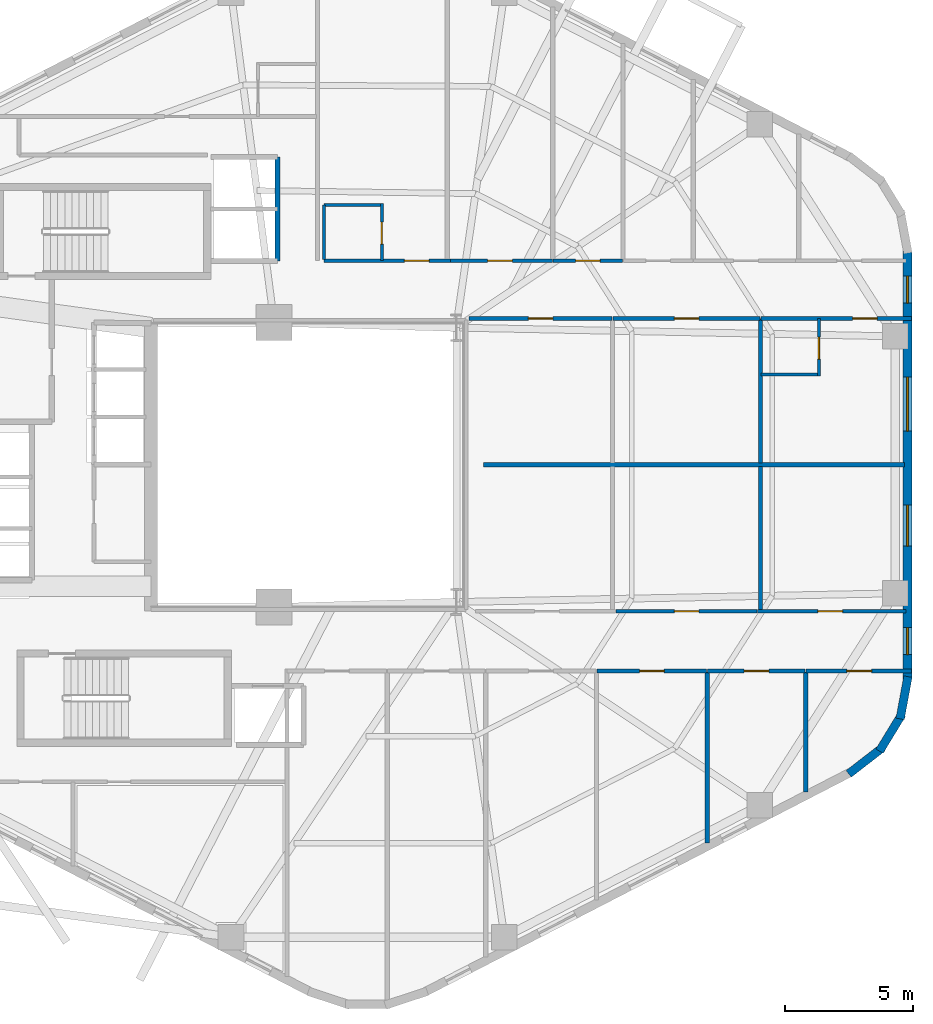
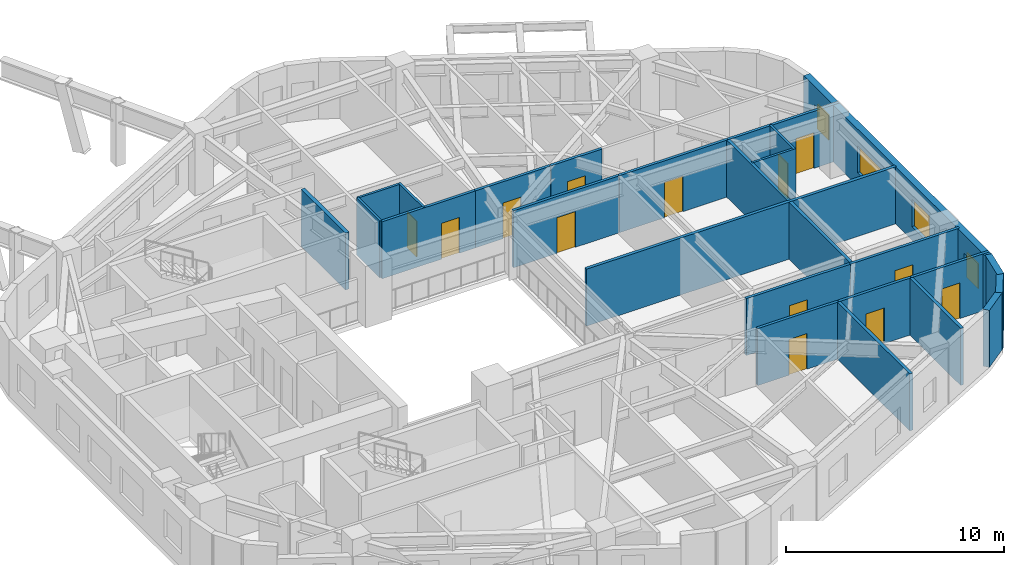
# One storey, part 5 of 8: 26 walls, 13 doors, 4 windows, 17 openings.
"""IFC4 building model written with IfcOpenShell, lengths in metres."""

from ifc_helpers import new_model, si_unit, direction, frame, frame_2d, origin, place, context, subcontext, project, spatial, rectangle, extrude, material, layer, layer_set, type_object, element, fill, save


model = new_model("IFC4")

# Units and contexts
model_context = context("Model", 3, precision=1e-05, world=origin(), true_north=direction((0.0, 1.0)))
body_context = subcontext(model_context, "Body", "Model", "MODEL_VIEW")
ifc_project = project(units=[si_unit("LENGTHUNIT", "METRE"), si_unit("AREAUNIT", "SQUARE_METRE"), si_unit("VOLUMEUNIT", "CUBIC_METRE"), si_unit("PLANEANGLEUNIT", "RADIAN"), si_unit("MASSUNIT", "GRAM", prefix="KILO"), si_unit("THERMODYNAMICTEMPERATUREUNIT", "KELVIN"), si_unit("POWERUNIT", "WATT")], contexts=[model_context])

# Site, building, storey
site_placement = place(None, origin())
site = spatial("IfcSite", under=ifc_project, at=site_placement, CompositionType="ELEMENT")
building_placement = place(site_placement, origin())
building = spatial("IfcBuilding", under=site, at=building_placement, Name="Skarre Station Tower", CompositionType="ELEMENT")
storey_placement = place(building_placement, frame((0.0, 0.0, 129.14990234375)))
storey = spatial("IfcBuildingStorey", under=building, at=storey_placement, Name="L34", CompositionType="ELEMENT", Elevation=129.14990234375)

# Wall, opening, door
ifc_material_1 = material(Name="Acoustic Steel-Stud Gypsum Partition", Category="steel")
ifc_layer_1 = layer(ifc_material_1, 0.14990234375, Name="Acoustic Steel-Stud Gypsum Partition")
ifc_layer_set_1 = layer_set([ifc_layer_1], Name="Acoustic Steel-Stud Gypsum Partition")
wall_type_1 = type_object("IfcWallType", Name="Fire-Rated Corridor Acoustic Partition 150", PredefinedType="PARTITIONING", material=ifc_layer_set_1)
wall_1_placement = place(storey_placement, frame((39.22412109375, 31.9599609375, 0.0), z_axis=(0.0, 0.0, 1.0), x_axis=(-1.0, 0.0, 0.0)))
wall_1 = element("IfcWall", 1, at=wall_1_placement, inside=storey, type_object=wall_type_1, Name="L34 Interior Partition WL-PT-L34-NW1-CW", PredefinedType="PARTITIONING", context=body_context, shape_type="SweptSolid", body=[
    extrude(rectangle(XDim=4.93408203125, YDim=0.14990234375, at=frame_2d((2.467041015625, 0.0))), origin(), (0.0, 0.0, 1.0), 3.190185546875),
])
opening_1_placement = place(wall_1_placement, frame((0.830078125, 0.0, 0.0)))
opening_1 = element("IfcOpeningElement", 2, at=opening_1_placement, cuts=wall_1, Name="Opening DR-FD60", PredefinedType="OPENING", context=body_context, shape_type="SweptSolid", body=[
    extrude(rectangle(XDim=0.9599609375, YDim=2.0, at=frame_2d((0.47998046875, 1.0))), frame((0.0, 0.0849609375, 0.0), z_axis=(0.0, -1.0, 0.0), x_axis=(1.0, 0.0, 0.0)), (0.0, 0.0, 1.0), 0.169921875),
])
ifc_material_2 = material(Name="Nordic White-Oak Veneer Solid-Core Fire Leaf", Category="wood")
door_type_1 = type_object("IfcDoorType", Name="Corridor Suite Entry Fire Door FD60 960x2150", OperationType="SINGLE_SWING_LEFT", PredefinedType="DOOR", material=ifc_material_2)
door_1_placement = place(opening_1_placement, origin())
door_1 = element("IfcDoor", 3, at=door_1_placement, inside=storey, type_object=door_type_1, Name="L34 NW1 Entry Door", OperationType="SINGLE_SWING_LEFT", OverallHeight=2.0, OverallWidth=0.9599609375, PredefinedType="DOOR", context=body_context, shape_type="SweptSolid", body=[
    extrude(rectangle(XDim=0.9599609375, YDim=2.0, at=frame_2d((0.47998046875, 1.0))), frame((0.0, 0.02490234375, 0.0), z_axis=(0.0, -1.0, 0.0), x_axis=(1.0, 0.0, 0.0)), (0.0, 0.0, 1.0), 0.050048828125),
])
fill(opening_1, door_1)

wall_2_placement = place(storey_placement, frame((43.198974609375, 31.9599609375, 0.0), z_axis=(0.0, 0.0, 1.0), x_axis=(-1.0, 0.0, 0.0)))
wall_2 = element("IfcWall", 4, at=wall_2_placement, inside=storey, type_object=wall_type_1, Name="L34 Interior Partition WL-PT-L34-NW2-CW", PredefinedType="PARTITIONING", context=body_context, shape_type="SweptSolid", body=[
    extrude(rectangle(XDim=3.965087890625, YDim=0.14990234375, at=frame_2d((1.982421875, 0.0))), origin(), (0.0, 0.0, 1.0), 3.190185546875),
])
opening_2_placement = place(wall_2_placement, frame((1.56005859375, 0.0, 0.0)))
opening_2 = element("IfcOpeningElement", 5, at=opening_2_placement, cuts=wall_2, Name="Opening DR-FD60", PredefinedType="OPENING", context=body_context, shape_type="SweptSolid", body=[
    extrude(rectangle(XDim=0.9599609375, YDim=2.0, at=frame_2d((0.47998046875, 1.0))), frame((0.0, 0.0849609375, 0.0), z_axis=(0.0, -1.0, 0.0), x_axis=(1.0, 0.0, 0.0)), (0.0, 0.0, 1.0), 0.169921875),
])
door_2_placement = place(opening_2_placement, origin())
door_2 = element("IfcDoor", 6, at=door_2_placement, inside=storey, type_object=door_type_1, Name="L34 NW2 Entry Door", OperationType="SINGLE_SWING_LEFT", OverallHeight=2.0, OverallWidth=0.9599609375, PredefinedType="DOOR", context=body_context, shape_type="SweptSolid", body=[
    extrude(rectangle(XDim=0.9599609375, YDim=2.0, at=frame_2d((0.47998046875, 1.0))), frame((0.0, 0.02490234375, 0.0), z_axis=(0.0, -1.0, 0.0), x_axis=(1.0, 0.0, 0.0)), (0.0, 0.0, 1.0), 0.050048828125),
])
fill(opening_2, door_2)

wall_3_placement = place(storey_placement, frame((45.93994140625, 31.9599609375, 0.0), z_axis=(0.0, 0.0, 1.0), x_axis=(-1.0, 0.0, 0.0)))
wall_3 = element("IfcWall", 7, at=wall_3_placement, inside=storey, type_object=wall_type_1, Name="L34 Interior Partition WL-PT-L34-NW3-CW", PredefinedType="PARTITIONING", context=body_context, shape_type="SweptSolid", body=[
    extrude(rectangle(XDim=2.708984375, YDim=0.14990234375, at=frame_2d((1.3544921875, 0.0))), origin(), (0.0, 0.0, 1.0), 3.190185546875),
])
opening_3_placement = place(wall_3_placement, frame((0.875, 0.0, 0.0)))
opening_3 = element("IfcOpeningElement", 8, at=opening_3_placement, cuts=wall_3, Name="Opening DR-FD60", PredefinedType="OPENING", context=body_context, shape_type="SweptSolid", body=[
    extrude(rectangle(XDim=0.9599609375, YDim=2.0, at=frame_2d((0.47998046875, 1.0))), frame((0.0, 0.0849609375, 0.0), z_axis=(0.0, -1.0, 0.0), x_axis=(1.0, 0.0, 0.0)), (0.0, 0.0, 1.0), 0.169921875),
])
door_3_placement = place(opening_3_placement, origin())
door_3 = element("IfcDoor", 9, at=door_3_placement, inside=storey, type_object=door_type_1, Name="L34 NW3 Entry Door", OperationType="SINGLE_SWING_LEFT", OverallHeight=2.0, OverallWidth=0.9599609375, PredefinedType="DOOR", context=body_context, shape_type="SweptSolid", body=[
    extrude(rectangle(XDim=0.9599609375, YDim=2.0, at=frame_2d((0.47998046875, 1.0))), frame((0.0, 0.02490234375, 0.0), z_axis=(0.0, -1.0, 0.0), x_axis=(1.0, 0.0, 0.0)), (0.0, 0.0, 1.0), 0.050048828125),
])
fill(opening_3, door_3)

wall_4_placement = place(storey_placement, frame((39.949951171875, 29.7099609375, 0.0), z_axis=(0.0, 0.0, 1.0), x_axis=(1.0, 0.0, 0.0)))
wall_4 = element("IfcWall", 10, at=wall_4_placement, inside=storey, type_object=wall_type_1, Name="L34 Interior Partition WL-PT-L34-EWN1-CW", PredefinedType="PARTITIONING", context=body_context, shape_type="SweptSolid", body=[
    extrude(rectangle(XDim=5.583984375, YDim=0.14990234375, at=frame_2d((2.7919921875, 0.0))), origin(), (0.0, 0.0, 1.0), 3.190185546875),
])
opening_4_placement = place(wall_4_placement, frame((2.31201171875, 0.0, 0.0)))
opening_4 = element("IfcOpeningElement", 11, at=opening_4_placement, cuts=wall_4, Name="Opening DR-FD60", PredefinedType="OPENING", context=body_context, shape_type="SweptSolid", body=[
    extrude(rectangle(XDim=0.9599609375, YDim=2.0, at=frame_2d((0.47998046875, 1.0))), frame((0.0, 0.0849609375, 0.0), z_axis=(0.0, -1.0, 0.0), x_axis=(1.0, 0.0, 0.0)), (0.0, 0.0, 1.0), 0.169921875),
])
door_4_placement = place(opening_4_placement, origin())
door_4 = element("IfcDoor", 12, at=door_4_placement, inside=storey, type_object=door_type_1, Name="L34 EWN1 Entry Door", OperationType="SINGLE_SWING_LEFT", OverallHeight=2.0, OverallWidth=0.9599609375, PredefinedType="DOOR", context=body_context, shape_type="SweptSolid", body=[
    extrude(rectangle(XDim=0.9599609375, YDim=2.0, at=frame_2d((0.47998046875, 1.0))), frame((0.0, 0.02490234375, 0.0), z_axis=(0.0, -1.0, 0.0), x_axis=(1.0, 0.0, 0.0)), (0.0, 0.0, 1.0), 0.050048828125),
])
fill(opening_4, door_4)

wall_5_placement = place(storey_placement, frame((45.56396484375, 29.7099609375, 0.0), z_axis=(0.0, 0.0, 1.0), x_axis=(1.0, 0.0, 0.0)))
wall_5 = element("IfcWall", 13, at=wall_5_placement, inside=storey, type_object=wall_type_1, Name="L34 Interior Partition WL-PT-L34-EWN2-CW", PredefinedType="PARTITIONING", context=body_context, shape_type="SweptSolid", body=[
    extrude(rectangle(XDim=5.739990234375, YDim=0.14990234375, at=frame_2d((2.8701171875, 0.0))), origin(), (0.0, 0.0, 1.0), 3.190185546875),
])
opening_5_placement = place(wall_5_placement, frame((2.389892578125, 0.0, 0.0)))
opening_5 = element("IfcOpeningElement", 14, at=opening_5_placement, cuts=wall_5, Name="Opening DR-FD60", PredefinedType="OPENING", context=body_context, shape_type="SweptSolid", body=[
    extrude(rectangle(XDim=0.9599609375, YDim=2.0, at=frame_2d((0.47998046875, 1.0))), frame((0.0, 0.0849609375, 0.0), z_axis=(0.0, -1.0, 0.0), x_axis=(1.0, 0.0, 0.0)), (0.0, 0.0, 1.0), 0.169921875),
])
door_5_placement = place(opening_5_placement, origin())
door_5 = element("IfcDoor", 15, at=door_5_placement, inside=storey, type_object=door_type_1, Name="L34 EWN2 Entry Door", OperationType="SINGLE_SWING_LEFT", OverallHeight=2.0, OverallWidth=0.9599609375, PredefinedType="DOOR", context=body_context, shape_type="SweptSolid", body=[
    extrude(rectangle(XDim=0.9599609375, YDim=2.0, at=frame_2d((0.47998046875, 1.0))), frame((0.0, 0.02490234375, 0.0), z_axis=(0.0, -1.0, 0.0), x_axis=(1.0, 0.0, 0.0)), (0.0, 0.0, 1.0), 0.050048828125),
])
fill(opening_5, door_5)

wall_6_placement = place(storey_placement, frame((51.333984375, 29.7099609375, 0.0), z_axis=(0.0, 0.0, 1.0), x_axis=(1.0, 0.0, 0.0)))
wall_6 = element("IfcWall", 16, at=wall_6_placement, inside=storey, type_object=wall_type_1, Name="L34 Interior Partition WL-PT-L34-EWN3-CW", PredefinedType="PARTITIONING", context=body_context, shape_type="SweptSolid", body=[
    extrude(rectangle(XDim=5.8740234375, YDim=0.14990234375, at=frame_2d((2.93701171875, 0.0))), origin(), (0.0, 0.0, 1.0), 3.190185546875),
])
opening_6_placement = place(wall_6_placement, frame((3.572021484375, 0.0, 0.0)))
opening_6 = element("IfcOpeningElement", 17, at=opening_6_placement, cuts=wall_6, Name="Opening DR-FD60", PredefinedType="OPENING", context=body_context, shape_type="SweptSolid", body=[
    extrude(rectangle(XDim=0.9599609375, YDim=2.0, at=frame_2d((0.47998046875, 1.0))), frame((0.0, 0.0849609375, 0.0), z_axis=(0.0, -1.0, 0.0), x_axis=(1.0, 0.0, 0.0)), (0.0, 0.0, 1.0), 0.169921875),
])
door_6_placement = place(opening_6_placement, origin())
door_6 = element("IfcDoor", 18, at=door_6_placement, inside=storey, type_object=door_type_1, Name="L34 EWN3 Entry Door", OperationType="SINGLE_SWING_LEFT", OverallHeight=2.0, OverallWidth=0.9599609375, PredefinedType="DOOR", context=body_context, shape_type="SweptSolid", body=[
    extrude(rectangle(XDim=0.9599609375, YDim=2.0, at=frame_2d((0.47998046875, 1.0))), frame((0.0, 0.02490234375, 0.0), z_axis=(0.0, -1.0, 0.0), x_axis=(1.0, 0.0, 0.0)), (0.0, 0.0, 1.0), 0.050048828125),
])
fill(opening_6, door_6)

wall_7_placement = place(storey_placement, frame((51.18896484375, 18.2900390625, 0.0), z_axis=(0.0, 0.0, 1.0), x_axis=(-1.0, 0.0, 0.0)))
wall_7 = element("IfcWall", 19, at=wall_7_placement, inside=storey, type_object=wall_type_1, Name="L34 Interior Partition WL-PT-L34-EWS2-CW", PredefinedType="PARTITIONING", context=body_context, shape_type="SweptSolid", body=[
    extrude(rectangle(XDim=5.510009765625, YDim=0.14990234375, at=frame_2d((2.7548828125, 0.0))), origin(), (0.0, 0.0, 1.0), 3.190185546875),
])
opening_7_placement = place(wall_7_placement, frame((2.27490234375, 0.0, 0.0)))
opening_7 = element("IfcOpeningElement", 20, at=opening_7_placement, cuts=wall_7, Name="Opening DR-FD60", PredefinedType="OPENING", context=body_context, shape_type="SweptSolid", body=[
    extrude(rectangle(XDim=0.9599609375, YDim=2.0, at=frame_2d((0.47998046875, 1.0))), frame((0.0, 0.0849609375, 0.0), z_axis=(0.0, -1.0, 0.0), x_axis=(1.0, 0.0, 0.0)), (0.0, 0.0, 1.0), 0.169921875),
])
door_7_placement = place(opening_7_placement, origin())
door_7 = element("IfcDoor", 21, at=door_7_placement, inside=storey, type_object=door_type_1, Name="L34 EWS2 Entry Door", OperationType="SINGLE_SWING_LEFT", OverallHeight=2.0, OverallWidth=0.9599609375, PredefinedType="DOOR", context=body_context, shape_type="SweptSolid", body=[
    extrude(rectangle(XDim=0.9599609375, YDim=2.0, at=frame_2d((0.47998046875, 1.0))), frame((0.0, 0.02490234375, 0.0), z_axis=(0.0, -1.0, 0.0), x_axis=(1.0, 0.0, 0.0)), (0.0, 0.0, 1.0), 0.050048828125),
])
fill(opening_7, door_7)

wall_8_placement = place(storey_placement, frame((56.988037109375, 18.2900390625, 0.0), z_axis=(0.0, 0.0, 1.0), x_axis=(-1.0, 0.0, 0.0)))
wall_8 = element("IfcWall", 22, at=wall_8_placement, inside=storey, type_object=wall_type_1, Name="L34 Interior Partition WL-PT-L34-EWS3-CW", PredefinedType="PARTITIONING", context=body_context, shape_type="SweptSolid", body=[
    extrude(rectangle(XDim=5.7890625, YDim=0.14990234375, at=frame_2d((2.89453125, 0.0))), origin(), (0.0, 0.0, 1.0), 3.190185546875),
])
opening_8_placement = place(wall_8_placement, frame((2.471923828125, 0.0, 0.0)))
opening_8 = element("IfcOpeningElement", 23, at=opening_8_placement, cuts=wall_8, Name="Opening DR-FD60", PredefinedType="OPENING", context=body_context, shape_type="SweptSolid", body=[
    extrude(rectangle(XDim=0.9599609375, YDim=2.0, at=frame_2d((0.47998046875, 1.0))), frame((0.0, 0.0849609375, 0.0), z_axis=(0.0, -1.0, 0.0), x_axis=(1.0, 0.0, 0.0)), (0.0, 0.0, 1.0), 0.169921875),
])
door_8_placement = place(opening_8_placement, origin())
door_8 = element("IfcDoor", 24, at=door_8_placement, inside=storey, type_object=door_type_1, Name="L34 EWS3 Entry Door", OperationType="SINGLE_SWING_LEFT", OverallHeight=2.0, OverallWidth=0.9599609375, PredefinedType="DOOR", context=body_context, shape_type="SweptSolid", body=[
    extrude(rectangle(XDim=0.9599609375, YDim=2.0, at=frame_2d((0.47998046875, 1.0))), frame((0.0, 0.02490234375, 0.0), z_axis=(0.0, -1.0, 0.0), x_axis=(1.0, 0.0, 0.0)), (0.0, 0.0, 1.0), 0.050048828125),
])
fill(opening_8, door_8)

wall_9_placement = place(storey_placement, frame((44.93701171875, 15.9599609375, 0.0), z_axis=(0.0, 0.0, 1.0), x_axis=(1.0, 0.0, 0.0)))
wall_9 = element("IfcWall", 25, at=wall_9_placement, inside=storey, type_object=wall_type_1, Name="L34 Interior Partition WL-PT-L34-SW4-CW", PredefinedType="PARTITIONING", context=body_context, shape_type="SweptSolid", body=[
    extrude(rectangle(XDim=4.283935546875, YDim=0.14990234375, at=frame_2d((2.14208984375, 0.0))), origin(), (0.0, 0.0, 1.0), 3.190185546875),
])
opening_9_placement = place(wall_9_placement, frame((1.662109375, 0.0, 0.0)))
opening_9 = element("IfcOpeningElement", 26, at=opening_9_placement, cuts=wall_9, Name="Opening DR-FD60", PredefinedType="OPENING", context=body_context, shape_type="SweptSolid", body=[
    extrude(rectangle(XDim=0.9599609375, YDim=2.0, at=frame_2d((0.47998046875, 1.0))), frame((0.0, 0.0849609375, 0.0), z_axis=(0.0, -1.0, 0.0), x_axis=(1.0, 0.0, 0.0)), (0.0, 0.0, 1.0), 0.169921875),
])
door_9_placement = place(opening_9_placement, origin())
door_9 = element("IfcDoor", 27, at=door_9_placement, inside=storey, type_object=door_type_1, Name="L34 SW4 Entry Door", OperationType="SINGLE_SWING_LEFT", OverallHeight=2.0, OverallWidth=0.9599609375, PredefinedType="DOOR", context=body_context, shape_type="SweptSolid", body=[
    extrude(rectangle(XDim=0.9599609375, YDim=2.0, at=frame_2d((0.47998046875, 1.0))), frame((0.0, 0.02490234375, 0.0), z_axis=(0.0, -1.0, 0.0), x_axis=(1.0, 0.0, 0.0)), (0.0, 0.0, 1.0), 0.050048828125),
])
fill(opening_9, door_9)

wall_10_placement = place(storey_placement, frame((49.257080078125, 15.9599609375, 0.0), z_axis=(0.0, 0.0, 1.0), x_axis=(1.0, 0.0, 0.0)))
wall_10 = element("IfcWall", 28, at=wall_10_placement, inside=storey, type_object=wall_type_1, Name="L34 Interior Partition WL-PT-L34-SW5-CW", PredefinedType="PARTITIONING", context=body_context, shape_type="SweptSolid", body=[
    extrude(rectangle(XDim=3.802978515625, YDim=0.14990234375, at=frame_2d((1.9013671875, 0.0))), origin(), (0.0, 0.0, 1.0), 3.190185546875),
])
opening_10_placement = place(wall_10_placement, frame((1.422119140625, 0.0, 0.0)))
opening_10 = element("IfcOpeningElement", 29, at=opening_10_placement, cuts=wall_10, Name="Opening DR-FD60", PredefinedType="OPENING", context=body_context, shape_type="SweptSolid", body=[
    extrude(rectangle(XDim=0.9599609375, YDim=2.0, at=frame_2d((0.47998046875, 1.0))), frame((0.0, 0.0849609375, 0.0), z_axis=(0.0, -1.0, 0.0), x_axis=(1.0, 0.0, 0.0)), (0.0, 0.0, 1.0), 0.169921875),
])
door_10_placement = place(opening_10_placement, origin())
door_10 = element("IfcDoor", 30, at=door_10_placement, inside=storey, type_object=door_type_1, Name="L34 SW5 Entry Door", OperationType="SINGLE_SWING_LEFT", OverallHeight=2.0, OverallWidth=0.9599609375, PredefinedType="DOOR", context=body_context, shape_type="SweptSolid", body=[
    extrude(rectangle(XDim=0.9599609375, YDim=2.0, at=frame_2d((0.47998046875, 1.0))), frame((0.0, 0.02490234375, 0.0), z_axis=(0.0, -1.0, 0.0), x_axis=(1.0, 0.0, 0.0)), (0.0, 0.0, 1.0), 0.050048828125),
])
fill(opening_10, door_10)

wall_11_placement = place(storey_placement, frame((53.095947265625, 15.9599609375, 0.0), z_axis=(0.0, 0.0, 1.0), x_axis=(1.0, 0.0, 0.0)))
wall_11 = element("IfcWall", 31, at=wall_11_placement, inside=storey, type_object=wall_type_1, Name="L34 Interior Partition WL-PT-L34-SW6-CW", PredefinedType="PARTITIONING", context=body_context, shape_type="SweptSolid", body=[
    extrude(rectangle(XDim=4.112060546875, YDim=0.14990234375, at=frame_2d((2.05615234375, 0.0))), origin(), (0.0, 0.0, 1.0), 3.190185546875),
])
opening_11_placement = place(wall_11_placement, frame((1.590087890625, 0.0, 0.0)))
opening_11 = element("IfcOpeningElement", 32, at=opening_11_placement, cuts=wall_11, Name="Opening DR-FD60", PredefinedType="OPENING", context=body_context, shape_type="SweptSolid", body=[
    extrude(rectangle(XDim=0.9599609375, YDim=2.0, at=frame_2d((0.47998046875, 1.0))), frame((0.0, 0.0849609375, 0.0), z_axis=(0.0, -1.0, 0.0), x_axis=(1.0, 0.0, 0.0)), (0.0, 0.0, 1.0), 0.169921875),
])
door_11_placement = place(opening_11_placement, origin())
door_11 = element("IfcDoor", 33, at=door_11_placement, inside=storey, type_object=door_type_1, Name="L34 SW6 Entry Door", OperationType="SINGLE_SWING_LEFT", OverallHeight=2.0, OverallWidth=0.9599609375, PredefinedType="DOOR", context=body_context, shape_type="SweptSolid", body=[
    extrude(rectangle(XDim=0.9599609375, YDim=2.0, at=frame_2d((0.47998046875, 1.0))), frame((0.0, 0.02490234375, 0.0), z_axis=(0.0, -1.0, 0.0), x_axis=(1.0, 0.0, 0.0)), (0.0, 0.0, 1.0), 0.050048828125),
])
fill(opening_11, door_11)

ifc_material_3 = material(Name="Insulated Timber-Stud Gypsum Partition", Category="wood")
ifc_layer_2 = layer(ifc_material_3, 0.1201171875, Name="Insulated Timber-Stud Gypsum Partition")
ifc_layer_set_2 = layer_set([ifc_layer_2], Name="Insulated Timber-Stud Gypsum Partition")
wall_type_2 = type_object("IfcWallType", Name="Internal Suite Acoustic Partition 120", PredefinedType="PARTITIONING", material=ifc_layer_set_2)
wall_12_placement = place(storey_placement, frame((36.550048828125, 31.9599609375, 0.0), z_axis=(0.0, 0.0, 1.0), x_axis=(0.0, 1.0, 0.0)))
wall_12 = element("IfcWall", 34, at=wall_12_placement, inside=storey, type_object=wall_type_2, Name="L34 Interior Partition WL-PT-L34-NW1-EW2", PredefinedType="PARTITIONING", context=body_context, shape_type="SweptSolid", body=[
    extrude(rectangle(XDim=2.239990234375, YDim=0.1201171875, at=frame_2d((1.1201171875, 0.0))), origin(), (0.0, 0.0, 1.0), 3.190185546875),
])
opening_12_placement = place(wall_12_placement, frame((0.64990234375, 0.0, 0.0)))
opening_12 = element("IfcOpeningElement", 35, at=opening_12_placement, cuts=wall_12, Name="Opening DR-INT86", PredefinedType="OPENING", context=body_context, shape_type="SweptSolid", body=[
    extrude(rectangle(XDim=0.860107421875, YDim=2.0, at=frame_2d((0.43017578125, 1.0))), frame((0.0, 0.070068359375, 0.0), z_axis=(0.0, -1.0, 0.0), x_axis=(1.0, 0.0, 0.0)), (0.0, 0.0, 1.0), 0.14013671875),
])
ifc_material_4 = material(Name="Nordic Birch Acoustic Solid-Core Timber Leaf", Category="wood")
door_type_2 = type_object("IfcDoorType", Name="Internal En-Suite & Bedroom Door 860x2100", OperationType="SINGLE_SWING_LEFT", PredefinedType="DOOR", material=ifc_material_4)
door_12_placement = place(opening_12_placement, origin())
door_12 = element("IfcDoor", 36, at=door_12_placement, inside=storey, type_object=door_type_2, Name="L34 NW1 En-suite Door", OperationType="SINGLE_SWING_LEFT", OverallHeight=2.0, OverallWidth=0.860107421875, PredefinedType="DOOR", context=body_context, shape_type="SweptSolid", body=[
    extrude(rectangle(XDim=0.860107421875, YDim=2.0, at=frame_2d((0.43017578125, 1.0))), frame((0.0, 0.02490234375, 0.0), z_axis=(0.0, -1.0, 0.0), x_axis=(1.0, 0.0, 0.0)), (0.0, 0.0, 1.0), 0.050048828125),
])
fill(opening_12, door_12)

# Walls
wall_13_placement = place(storey_placement, frame((36.610107421875, 34.139892578125, 0.0), z_axis=(0.0, 0.0, 1.0), x_axis=(-1.0, 0.0, 0.0)))
element("IfcWall", 37, at=wall_13_placement, inside=storey, type_object=wall_type_2, Name="L34 Interior Partition WL-PT-L34-NW1-EW3", PredefinedType="PARTITIONING", context=body_context, shape_type="SweptSolid", body=[
    extrude(rectangle(XDim=2.320068359375, YDim=0.1201171875, at=frame_2d((1.16015625, 0.0))), origin(), (0.0, 0.0, 1.0), 3.190185546875),
])
wall_14_placement = place(storey_placement, frame((34.2900390625, 34.139892578125, 0.0), z_axis=(0.0, 0.0, 1.0), x_axis=(0.0, -1.0, 0.0)))
element("IfcWall", 38, at=wall_14_placement, inside=storey, type_object=wall_type_2, Name="L34 Interior Partition WL-PT-L34-NW1-EW4", PredefinedType="PARTITIONING", context=body_context, shape_type="SweptSolid", body=[
    extrude(rectangle(XDim=2.139892578125, YDim=0.1201171875, at=frame_2d((1.06982421875, 0.0))), origin(), (0.0, 0.0, 1.0), 3.190185546875),
])

# Wall, opening, door
wall_15_placement = place(storey_placement, frame((53.593994140625, 27.469970703125, 0.0), z_axis=(0.0, 0.0, 1.0), x_axis=(0.0, 1.0, 0.0)))
wall_15 = element("IfcWall", 39, at=wall_15_placement, inside=storey, type_object=wall_type_2, Name="L34 Interior Partition WL-PT-L34-EWN3-EW2", PredefinedType="PARTITIONING", context=body_context, shape_type="SweptSolid", body=[
    extrude(rectangle(XDim=2.239990234375, YDim=0.1201171875, at=frame_2d((1.1201171875, 0.0))), origin(), (0.0, 0.0, 1.0), 3.190185546875),
])
opening_13_placement = place(wall_15_placement, frame((0.64990234375, 0.0, 0.0)))
opening_13 = element("IfcOpeningElement", 40, at=opening_13_placement, cuts=wall_15, Name="Opening DR-INT86", PredefinedType="OPENING", context=body_context, shape_type="SweptSolid", body=[
    extrude(rectangle(XDim=0.860107421875, YDim=2.0, at=frame_2d((0.43017578125, 1.0))), frame((0.0, 0.070068359375, 0.0), z_axis=(0.0, -1.0, 0.0), x_axis=(1.0, 0.0, 0.0)), (0.0, 0.0, 1.0), 0.14013671875),
])
door_13_placement = place(opening_13_placement, origin())
door_13 = element("IfcDoor", 41, at=door_13_placement, inside=storey, type_object=door_type_2, Name="L34 EWN3 En-suite Door", OperationType="SINGLE_SWING_RIGHT", OverallHeight=2.0, OverallWidth=0.860107421875, PredefinedType="DOOR", context=body_context, shape_type="SweptSolid", body=[
    extrude(rectangle(XDim=0.860107421875, YDim=2.0, at=frame_2d((0.43017578125, 1.0))), frame((0.0, 0.02490234375, 0.0), z_axis=(0.0, -1.0, 0.0), x_axis=(1.0, 0.0, 0.0)), (0.0, 0.0, 1.0), 0.050048828125),
])
fill(opening_13, door_13)

# Wall
wall_16_placement = place(storey_placement, frame((51.333984375, 27.530029296875, 0.0), z_axis=(0.0, 0.0, 1.0), x_axis=(1.0, 0.0, 0.0)))
element("IfcWall", 42, at=wall_16_placement, inside=storey, type_object=wall_type_2, Name="L34 Interior Partition WL-PT-L34-EWN3-EW1", PredefinedType="PARTITIONING", context=body_context, shape_type="SweptSolid", body=[
    extrude(rectangle(XDim=2.320068359375, YDim=0.1201171875, at=frame_2d((1.16015625, 0.0))), origin(), (0.0, 0.0, 1.0), 3.190185546875),
])

# Wall, openings, windows
ifc_material_5 = material(Name="Precast concrete C45/55", Category="concrete")
ifc_layer_3 = layer(ifc_material_5, 0.340087890625, Name="Precast concrete C45/55")
ifc_layer_set_3 = layer_set([ifc_layer_3], Name="Precast concrete C45/55")
wall_type_3 = type_object("IfcWallType", Name="Nordic Honed Precast Facet Wall 340", PredefinedType="STANDARD", material=ifc_layer_set_3)
wall_17_placement = place(storey_placement, frame((57.048095703125, 32.35205078125, 0.0), z_axis=(0.0, 0.0, 1.0), x_axis=(0.0, -1.0, 0.0)))
wall_17 = element("IfcWall", 43, at=wall_17_placement, inside=storey, type_object=wall_type_3, Name="L34 Facet 5 Nordic Precast Masonry Wall", PredefinedType="STANDARD", context=body_context, shape_type="SweptSolid", body=[
    extrude(rectangle(XDim=16.7041015625, YDim=0.340087890625, at=frame_2d((8.35205078125, 0.0))), origin(), (0.0, 0.0, 1.0), 3.190185546875),
])
opening_14_placement = place(wall_17_placement, frame((0.991943359375, 0.0, 0.75)))
opening_14 = element("IfcOpeningElement", 44, at=opening_14_placement, cuts=wall_17, Name="Opening WN-SLT", PredefinedType="OPENING", context=body_context, shape_type="SweptSolid", body=[
    extrude(rectangle(XDim=1.050048828125, YDim=1.39990234375, at=frame_2d((0.52490234375, 0.699951171875))), frame((0.0, 0.179931640625, 0.0), z_axis=(0.0, -1.0, 0.0), x_axis=(1.0, 0.0, 0.0)), (0.0, 0.0, 1.0), 0.360107421875),
])
opening_15_placement = place(wall_17_placement, frame((4.93505859375, 0.0, 0.75)))
opening_15 = element("IfcOpeningElement", 45, at=opening_15_placement, cuts=wall_17, Name="Opening WN-Z2B", PredefinedType="OPENING", context=body_context, shape_type="SweptSolid", body=[
    extrude(rectangle(XDim=2.10009765625, YDim=1.5, at=frame_2d((1.050048828125, 0.75))), frame((0.0, 0.179931640625, 0.0), z_axis=(0.0, -1.0, 0.0), x_axis=(1.0, 0.0, 0.0)), (0.0, 0.0, 1.0), 0.360107421875),
])
opening_16_placement = place(wall_17_placement, frame((9.9189453125, 0.0, 0.75)))
opening_16 = element("IfcOpeningElement", 46, at=opening_16_placement, cuts=wall_17, Name="Opening WN-Z2A", PredefinedType="OPENING", context=body_context, shape_type="SweptSolid", body=[
    extrude(rectangle(XDim=1.60009765625, YDim=1.550048828125, at=frame_2d((0.800048828125, 0.77490234375))), frame((0.0, 0.179931640625, 0.0), z_axis=(0.0, -1.0, 0.0), x_axis=(1.0, 0.0, 0.0)), (0.0, 0.0, 1.0), 0.360107421875),
])
opening_17_placement = place(wall_17_placement, frame((14.701904296875, 0.0, 0.75)))
opening_17 = element("IfcOpeningElement", 47, at=opening_17_placement, cuts=wall_17, Name="Opening WN-SLT", PredefinedType="OPENING", context=body_context, shape_type="SweptSolid", body=[
    extrude(rectangle(XDim=1.050048828125, YDim=1.39990234375, at=frame_2d((0.52490234375, 0.699951171875))), frame((0.0, 0.179931640625, 0.0), z_axis=(0.0, -1.0, 0.0), x_axis=(1.0, 0.0, 0.0)), (0.0, 0.0, 1.0), 0.360107421875),
])
ifc_material_6 = material(Name="Low-Iron Triple Glazing with Bronze Anodized Frame", Category="glass")
window_type_1 = type_object("IfcWindowType", Name="Nordic Corner Slot Window 1050x1400", PartitioningType="SINGLE_PANEL", PredefinedType="WINDOW", material=ifc_material_6)
window_1_placement = place(opening_14_placement, origin())
window_1 = element("IfcWindow", 48, at=window_1_placement, inside=storey, type_object=window_type_1, Name="L34 Facade Window WL-FAC-L34-F5-1", OverallHeight=1.39990234375, OverallWidth=1.050048828125, PartitioningType="SINGLE_PANEL", PredefinedType="WINDOW", context=body_context, shape_type="SweptSolid", body=[
    extrude(rectangle(XDim=1.050048828125, YDim=1.39990234375, at=frame_2d((0.52490234375, 0.699951171875))), frame((0.0, 0.030029296875, 0.0), z_axis=(0.0, -1.0, 0.0), x_axis=(1.0, 0.0, 0.0)), (0.0, 0.0, 1.0), 0.06005859375),
])
fill(opening_14, window_1)
window_2_placement = place(opening_17_placement, origin())
window_2 = element("IfcWindow", 49, at=window_2_placement, inside=storey, type_object=window_type_1, Name="L34 Facade Window WL-FAC-L34-F5-4", OverallHeight=1.39990234375, OverallWidth=1.050048828125, PartitioningType="SINGLE_PANEL", PredefinedType="WINDOW", context=body_context, shape_type="SweptSolid", body=[
    extrude(rectangle(XDim=1.050048828125, YDim=1.39990234375, at=frame_2d((0.52490234375, 0.699951171875))), frame((0.0, 0.030029296875, 0.0), z_axis=(0.0, -1.0, 0.0), x_axis=(1.0, 0.0, 0.0)), (0.0, 0.0, 1.0), 0.06005859375),
])
fill(opening_17, window_2)
window_type_2 = type_object("IfcWindowType", Name="Nordic Residential Tall Window 1600x1550", PartitioningType="SINGLE_PANEL", PredefinedType="WINDOW", material=ifc_material_6)
window_3_placement = place(opening_16_placement, origin())
window_3 = element("IfcWindow", 50, at=window_3_placement, inside=storey, type_object=window_type_2, Name="L34 Facade Window WL-FAC-L34-F5-3", OverallHeight=1.550048828125, OverallWidth=1.60009765625, PartitioningType="SINGLE_PANEL", PredefinedType="WINDOW", context=body_context, shape_type="SweptSolid", body=[
    extrude(rectangle(XDim=1.60009765625, YDim=1.550048828125, at=frame_2d((0.800048828125, 0.77490234375))), frame((0.0, 0.030029296875, 0.0), z_axis=(0.0, -1.0, 0.0), x_axis=(1.0, 0.0, 0.0)), (0.0, 0.0, 1.0), 0.06005859375),
])
fill(opening_16, window_3)
window_type_3 = type_object("IfcWindowType", Name="Nordic Residential Twin Window 2100x1500", PartitioningType="SINGLE_PANEL", PredefinedType="WINDOW", material=ifc_material_6)
window_4_placement = place(opening_15_placement, origin())
window_4 = element("IfcWindow", 51, at=window_4_placement, inside=storey, type_object=window_type_3, Name="L34 Facade Window WL-FAC-L34-F5-2", OverallHeight=1.5, OverallWidth=2.10009765625, PartitioningType="SINGLE_PANEL", PredefinedType="WINDOW", context=body_context, shape_type="SweptSolid", body=[
    extrude(rectangle(XDim=2.10009765625, YDim=1.5, at=frame_2d((1.050048828125, 0.75))), frame((0.0, 0.030029296875, 0.0), z_axis=(0.0, -1.0, 0.0), x_axis=(1.0, 0.0, 0.0)), (0.0, 0.0, 1.0), 0.06005859375),
])
fill(opening_15, window_4)

# Walls
ifc_layer_4 = layer(ifc_material_5, 0.330078125, Name="Precast concrete C45/55")
ifc_layer_set_4 = layer_set([ifc_layer_4], Name="Precast concrete C45/55")
wall_type_4 = type_object("IfcWallType", Name="Nordic Rounded Corner Precast Wall 330", PredefinedType="STANDARD", material=ifc_layer_set_4)
wall_18_placement = place(storey_placement, frame((57.068115234375, 15.741943359375, 0.0), z_axis=(0.0, 0.0, 1.0), x_axis=(-0.181984991895, -0.983301308209, 0.0)))
element("IfcWall", 52, at=wall_18_placement, inside=storey, type_object=wall_type_4, Name="L34 Rounded Corner Precast Wall F5-1", PredefinedType="STANDARD", context=body_context, shape_type="SweptSolid", body=[
    extrude(rectangle(XDim=1.677001953125, YDim=0.330078125, at=frame_2d((0.83837890625, 0.0))), origin(), (0.0, 0.0, 1.0), 3.190185546875),
])
wall_19_placement = place(storey_placement, frame((56.830078125, 14.26806640625, 0.0), z_axis=(0.0, 0.0, 1.0), x_axis=(-0.520519429557, -0.853849824883, 0.0)))
element("IfcWall", 53, at=wall_19_placement, inside=storey, type_object=wall_type_4, Name="L34 Rounded Corner Precast Wall F5-2", PredefinedType="STANDARD", context=body_context, shape_type="SweptSolid", body=[
    extrude(rectangle(XDim=1.67724609375, YDim=0.330078125, at=frame_2d((0.838623046875, 0.0))), origin(), (0.0, 0.0, 1.0), 3.190185546875),
])
wall_20_placement = place(storey_placement, frame((56.08203125, 12.97607421875, 0.0), z_axis=(0.0, 0.0, 1.0), x_axis=(-0.790621329885, -0.612305408053, 0.0)))
element("IfcWall", 54, at=wall_20_placement, inside=storey, type_object=wall_type_4, Name="L34 Rounded Corner Precast Wall F5-3", PredefinedType="STANDARD", context=body_context, shape_type="SweptSolid", body=[
    extrude(rectangle(XDim=1.67578125, YDim=0.330078125, at=frame_2d((0.837890625, 0.0))), origin(), (0.0, 0.0, 1.0), 3.190185546875),
])
ifc_material_7 = material(Name="Gypsum Concrete Shaft Assembly C30/37", Category="concrete")
ifc_layer_5 = layer(ifc_material_7, 0.199951171875, Name="Gypsum Concrete Shaft Assembly C30/37")
ifc_layer_set_5 = layer_set([ifc_layer_5], Name="Gypsum Concrete Shaft Assembly C30/37")
wall_type_5 = type_object("IfcWallType", Name="Shaft & Core Fire Partition 200", PredefinedType="PARTITIONING", material=ifc_layer_set_5)
wall_21_placement = place(storey_placement, frame((32.47998046875, 31.949951171875, 0.0), z_axis=(0.0, 0.0, 1.0), x_axis=(0.0, 1.0, 0.0)))
element("IfcWall", 55, at=wall_21_placement, inside=storey, type_object=wall_type_5, Name="L34 Interior Partition WL-PT-L34-EX-E", PredefinedType="PARTITIONING", context=body_context, shape_type="SweptSolid", body=[
    extrude(rectangle(XDim=4.050048828125, YDim=0.199951171875, at=frame_2d((2.02490234375, 0.0))), origin(), (0.0, 0.0, 1.0), 3.190185546875),
])
ifc_layer_6 = layer(ifc_material_1, 0.1650390625, Name="Acoustic Steel-Stud Gypsum Partition")
ifc_layer_set_6 = layer_set([ifc_layer_6], Name="Acoustic Steel-Stud Gypsum Partition")
wall_type_6 = type_object("IfcWallType", Name="Suite Demising Acoustic Partition 165", PredefinedType="PARTITIONING", material=ifc_layer_set_6)
wall_22_placement = place(storey_placement, frame((40.52001953125, 24.0, 0.0), z_axis=(0.0, 0.0, 1.0), x_axis=(1.0, 0.0, 0.0)))
element("IfcWall", 56, at=wall_22_placement, inside=storey, type_object=wall_type_6, Name="L34 Interior Partition WL-PT-L34-EW-Z2MID", PredefinedType="PARTITIONING", context=body_context, shape_type="SweptSolid", body=[
    extrude(rectangle(XDim=16.407958984375, YDim=0.1650390625, at=frame_2d((8.2041015625, 0.0))), origin(), (0.0, 0.0, 1.0), 3.190185546875),
])
for number, where, z_axis, x_axis, name in (
    (57, (51.319091796875, 24.070068359375, 0.0), (0.0, 0.0, 1.0), (0.0, 1.0, 0.0), "L34 Interior Partition WL-PT-L34-EWN-P2"),
    (58, (51.319091796875, 18.2900390625, 0.0), (0.0, 0.0, 1.0), (0.0, 1.0, 0.0), "L34 Interior Partition WL-PT-L34-EWS-P2"),
):
    element("IfcWall", number, at=place(storey_placement, frame(where, z_axis=z_axis, x_axis=x_axis)), inside=storey, type_object=wall_type_6, Name=name, PredefinedType="PARTITIONING", context=body_context, shape_type="SweptSolid", body=[
        extrude(rectangle(XDim=5.639892578125, YDim=0.1650390625, at=frame_2d((2.81982421875, 0.0))), origin(), (0.0, 0.0, 1.0), 3.190185546875),
    ])
wall_23_placement = place(storey_placement, frame((49.239013671875, 9.259033203125, 0.0), z_axis=(0.0, 0.0, 1.0), x_axis=(0.0, 1.0, 0.0)))
element("IfcWall", 59, at=wall_23_placement, inside=storey, type_object=wall_type_6, Name="L34 Interior Partition WL-PT-L34-SW-P4", PredefinedType="PARTITIONING", context=body_context, shape_type="SweptSolid", body=[
    extrude(rectangle(XDim=6.6708984375, YDim=0.1650390625, at=frame_2d((3.33544921875, 0.0))), origin(), (0.0, 0.0, 1.0), 3.190185546875),
])
wall_24_placement = place(storey_placement, frame((53.077880859375, 11.239990234375, 0.0), z_axis=(0.0, 0.0, 1.0), x_axis=(0.0, 1.0, 0.0)))
element("IfcWall", 60, at=wall_24_placement, inside=storey, type_object=wall_type_6, Name="L34 Interior Partition WL-PT-L34-SW-P5", PredefinedType="PARTITIONING", context=body_context, shape_type="SweptSolid", body=[
    extrude(rectangle(XDim=4.68994140625, YDim=0.1650390625, at=frame_2d((2.344970703125, 0.0))), origin(), (0.0, 0.0, 1.0), 3.190185546875),
])

save(model, "model.ifc")
